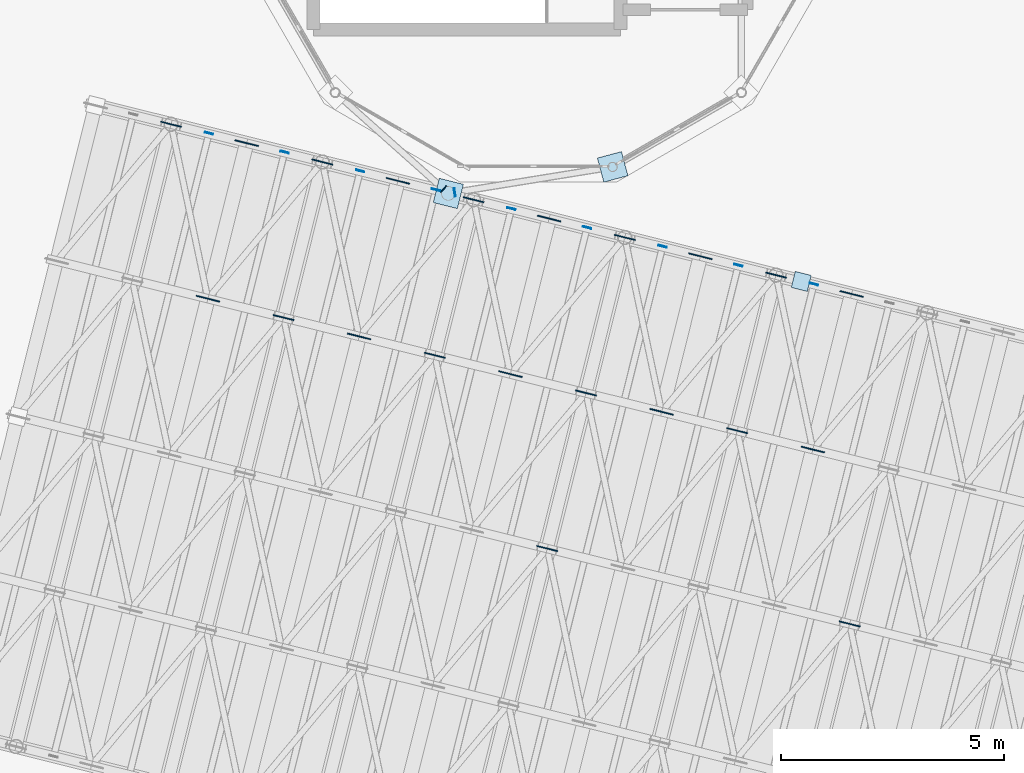
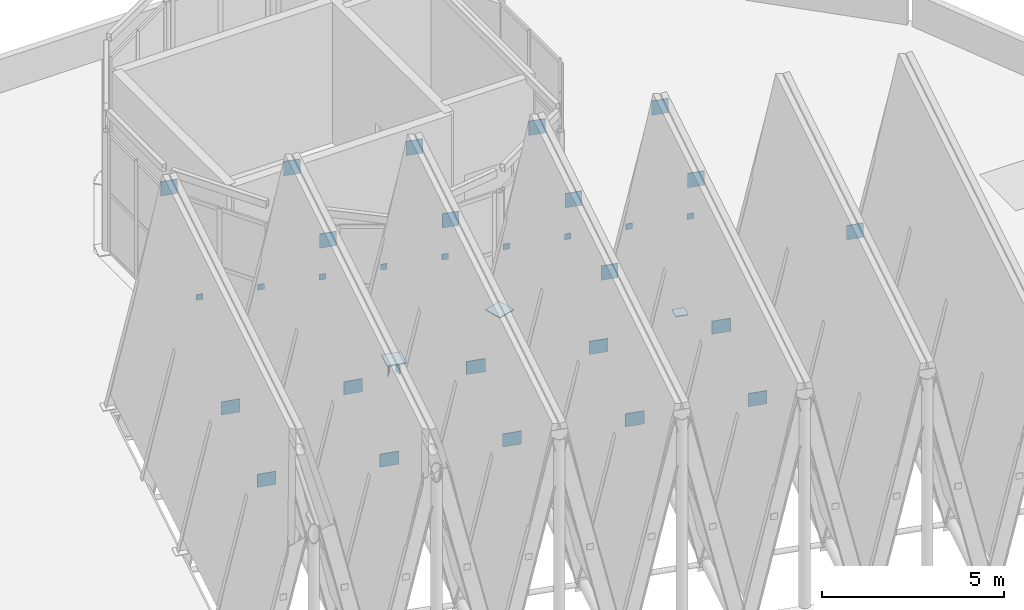
# One storey, part 29 of 51: 35 plates.
"""IFC4 building model written with IfcOpenShell, lengths in metres."""

from ifc_helpers import new_model, si_unit, direction, frame, origin, origin_2d, place, context, subcontext, project, spatial, rectangle, extrude, material, layer, layer_set, type_object, element, save


model = new_model("IFC4")

# Units and contexts
model_context = context("Model", 3, precision=1e-05, world=origin(), true_north=direction((0.0, 1.0)))
body_context = subcontext(model_context, "Body", "Model", "MODEL_VIEW")
ifc_project = project(units=[si_unit("LENGTHUNIT", "METRE"), si_unit("AREAUNIT", "SQUARE_METRE"), si_unit("VOLUMEUNIT", "CUBIC_METRE"), si_unit("PLANEANGLEUNIT", "RADIAN"), si_unit("MASSUNIT", "GRAM", prefix="KILO")], contexts=[model_context])

# Site, building, storey
site_placement = place(None, origin())
site = spatial("IfcSite", under=ifc_project, at=site_placement, CompositionType="ELEMENT")
building_placement = place(site_placement, origin())
building = spatial("IfcBuilding", under=site, at=building_placement, Name="Wrenclough Park School", CompositionType="ELEMENT")
storey_placement = place(building_placement, frame((0.0, 0.0, 16.800048828125)))
storey = spatial("IfcBuildingStorey", under=building, at=storey_placement, Name="L04", CompositionType="ELEMENT", Elevation=16.800048828125)

# Plates
ifc_material = material(Name="Structural steel S355", Category="steel")
ifc_layer_1 = layer(ifc_material, 0.18994140625)
ifc_layer_set_1 = layer_set([ifc_layer_1], Name="Structural steel S355")
plate_type_1 = type_object("IfcPlateType", Name="STR-PL-EP150", PredefinedType="SHEET", material=ifc_layer_set_1)
for number, where, z_axis, x_axis, name in (
    (1, (148.805419921875, 33.725341796875, 3.066162109375), (0.0, 0.0, 1.0), (0.2419218956, 0.970295726276, 0.0), "D1 purlin 1R N welded sealing end-cap plate"),
    (2, (150.50341796875, 33.302001953125, 3.066162109375), (0.0, 0.0, 1.0), (0.2419218956, 0.970295726276, 0.0), "D1 purlin 2L N welded sealing end-cap plate"),
    (3, (152.201416015625, 32.878662109375, 3.066162109375), (0.0, 0.0, 1.0), (0.2419218956, 0.970295726276, 0.0), "D1 purlin 2R N welded sealing end-cap plate"),
    (4, (153.8994140625, 32.455078125, 3.066162109375), (0.0, 0.0, 1.0), (0.2419218956, 0.970295726276, 0.0), "D1 purlin 3L N welded sealing end-cap plate"),
    (5, (155.597412109375, 32.031982421875, 3.066162109375), (0.0, 0.0, 1.0), (0.2419218956, 0.970295726276, 0.0), "D1 purlin 3R N welded sealing end-cap plate"),
    (6, (157.29541015625, 31.6083984375, 3.066162109375), (0.0, 0.0, 1.0), (0.2419218956, 0.970295726276, 0.0), "D1 purlin 4L N welded sealing end-cap plate"),
    (7, (158.993408203125, 31.18505859375, 3.066162109375), (0.0, 0.0, 1.0), (0.2419218956, 0.970295726276, 0.0), "D1 purlin 4R N welded sealing end-cap plate"),
    (8, (160.691650390625, 30.76171875, 3.066162109375), (0.0, 0.0, 1.0), (0.2419218956, 0.970295726276, 0.0), "D1 purlin 5L N welded sealing end-cap plate"),
    (9, (162.3896484375, 30.33837890625, 3.066162109375), (0.0, 0.0, 1.0), (0.2419218956, 0.970295726276, 0.0), "D1 purlin 5R N welded sealing end-cap plate"),
):
    element("IfcPlate", number, at=place(storey_placement, frame(where, z_axis=z_axis, x_axis=x_axis)), inside=storey, type_object=plate_type_1, Name=name, PredefinedType="SHEET", context=body_context, shape_type="SweptSolid", body=[
        extrude(rectangle(XDim=0.02197265625, YDim=0.18994140625, at=origin_2d()), origin(), (0.0, 0.0, 1.0), 0.18994140625),
    ])
ifc_layer_2 = layer(ifc_material, 0.2900390625)
ifc_layer_set_2 = layer_set([ifc_layer_2], Name="Structural steel S355")
plate_type_2 = type_object("IfcPlateType", Name="STR-PL-EP250", PredefinedType="SHEET", material=ifc_layer_set_2)
for number, where, z_axis, x_axis, name in (
    (10, (154.0712890625, 32.470703125, -0.510009765625), (0.0, 0.0, 1.0), (0.746405927603, -0.665490940013, 0.0), "D1-SH L04 ring beam 7 end sealing end-cap plate"),
    (11, (154.323486328125, 32.397216796875, -0.510009765625), (0.0, 0.0, 1.0), (0.987219843349, 0.15936430246, 0.0), "D1-SH L04 ring beam 8 start sealing end-cap plate"),
):
    element("IfcPlate", number, at=place(storey_placement, frame(where, z_axis=z_axis, x_axis=x_axis)), inside=storey, type_object=plate_type_2, Name=name, PredefinedType="SHEET", context=body_context, shape_type="SweptSolid", body=[
        extrude(rectangle(XDim=0.02197265625, YDim=0.18994140625, at=origin_2d()), origin(), (0.0, 0.0, 1.0), 0.2900390625),
    ])
ifc_layer_3 = layer(ifc_material, 0.02197265625)
ifc_layer_set_3 = layer_set([ifc_layer_3], Name="Structural steel S355")
plate_type_3 = type_object("IfcPlateType", Name="STR-PL-EP324", PredefinedType="SHEET", material=ifc_layer_set_3)
plate_placement = place(storey_placement, frame((162.10400390625, 30.398193359375, 0.0), z_axis=(0.0, 0.0, 1.0), x_axis=(0.970295726276, -0.2419218956, 0.0)))
element("IfcPlate", 12, at=plate_placement, inside=storey, type_object=plate_type_3, Name="Hollow steel column top sealing cap plate D1HR-2-2", PredefinedType="SHEET", context=body_context, shape_type="SweptSolid", body=[
    extrude(rectangle(XDim=0.3701171875, YDim=0.3701171875, at=origin_2d()), origin(), (0.0, 0.0, 1.0), 0.02197265625),
])
ifc_layer_4 = layer(ifc_material, 0.02490234375)
ifc_layer_set_4 = layer_set([ifc_layer_4], Name="Structural steel S355")
plate_type_4 = type_object("IfcPlateType", Name="STR-PL-KN1", PredefinedType="USERDEFINED", material=ifc_layer_set_4)
for number, where, z_axis, x_axis, name in (
    (13, (147.95361328125, 33.92626953125, 6.762451171875), (0.0, 0.0, 1.0), (0.970295726276, -0.2419218956, 0.0), "D1 ridge apex gusset plate 1.5"),
    (14, (150.478759765625, 29.58642578125, 6.762451171875), (0.0, 0.0, 1.0), (0.970295726276, -0.2419218956, 0.0), "D1 ridge apex gusset plate 2.4"),
    (15, (151.349853515625, 33.07958984375, 6.762451171875), (0.0, 0.0, 1.0), (0.970295726276, -0.2419218956, 0.0), "D1 ridge apex gusset plate 2.5"),
    (16, (153.875, 28.73974609375, 6.762451171875), (0.0, 0.0, 1.0), (0.970295726276, -0.2419218956, 0.0), "D1 ridge apex gusset plate 3.4"),
    (17, (154.745849609375, 32.23291015625, 6.762451171875), (0.0, 0.0, 1.0), (0.970295726276, -0.2419218956, 0.0), "D1 ridge apex gusset plate 3.5"),
    (18, (156.39990234375, 24.39990234375, 6.762451171875), (0.0, 0.0, 1.0), (0.970295726276, -0.2419218956, 0.0), "D1 ridge apex gusset plate 4.3"),
    (19, (157.27099609375, 27.89306640625, 6.762451171875), (0.0, 0.0, 1.0), (0.970295726276, -0.2419218956, 0.0), "D1 ridge apex gusset plate 4.4"),
    (20, (158.141845703125, 31.385986328125, 6.762451171875), (0.0, 0.0, 1.0), (0.970295726276, -0.2419218956, 0.0), "D1 ridge apex gusset plate 4.5"),
    (21, (160.6669921875, 27.04638671875, 6.762451171875), (0.0, 0.0, 1.0), (0.970295726276, -0.2419218956, 0.0), "D1 ridge apex gusset plate 5.4"),
    (22, (161.537841796875, 30.539306640625, 6.762451171875), (0.0, 0.0, 1.0), (0.970295726276, -0.2419218956, 0.0), "D1 ridge apex gusset plate 5.5"),
    (23, (163.192138671875, 22.70654296875, 6.762451171875), (0.0, 0.0, 1.0), (0.970295726276, -0.2419218956, 0.0), "D1 ridge apex gusset plate 6.3"),
):
    element("IfcPlate", number, at=place(storey_placement, frame(where, z_axis=z_axis, x_axis=x_axis)), inside=storey, type_object=plate_type_4, Name=name, ObjectType="GUSSET PLATE", PredefinedType="USERDEFINED", context=body_context, shape_type="SweptSolid", body=[
        extrude(rectangle(XDim=0.47998046875, YDim=0.02490234375, at=origin_2d()), origin(), (0.0, 0.0, 1.0), 0.47998046875),
    ])
ifc_layer_5 = layer(ifc_material, 0.02490234375)
ifc_layer_set_5 = layer_set([ifc_layer_5], Name="Structural steel S355")
plate_type_5 = type_object("IfcPlateType", Name="STR-PL-KN2", PredefinedType="USERDEFINED", material=ifc_layer_set_5)
for number, where, z_axis, x_axis, name in (
    (24, (148.78076171875, 30.010009765625, -0.900146484375), (0.0, 0.0, 1.0), (0.970295726276, -0.2419218956, 0.0), "D1 valley node gusset plate 2.4"),
    (25, (149.65185546875, 33.5029296875, -0.900146484375), (0.0, 0.0, 1.0), (0.970295726276, -0.2419218956, 0.0), "D1 valley node gusset plate 2.5"),
    (26, (152.177001953125, 29.1630859375, -0.900146484375), (0.0, 0.0, 1.0), (0.970295726276, -0.2419218956, 0.0), "D1 valley node gusset plate 3.4"),
    (27, (153.0478515625, 32.65625, -0.900146484375), (0.0, 0.0, 1.0), (0.970295726276, -0.2419218956, 0.0), "D1 valley node gusset plate 3.5"),
    (28, (155.572998046875, 28.31640625, -0.900146484375), (0.0, 0.0, 1.0), (0.970295726276, -0.2419218956, 0.0), "D1 valley node gusset plate 4.4"),
    (29, (156.44384765625, 31.8095703125, -0.900146484375), (0.0, 0.0, 1.0), (0.970295726276, -0.2419218956, 0.0), "D1 valley node gusset plate 4.5"),
    (30, (158.968994140625, 27.4697265625, -0.900146484375), (0.0, 0.0, 1.0), (0.970295726276, -0.2419218956, 0.0), "D1 valley node gusset plate 5.4"),
    (31, (159.83984375, 30.962890625, -0.900146484375), (0.0, 0.0, 1.0), (0.970295726276, -0.2419218956, 0.0), "D1 valley node gusset plate 5.5"),
    (32, (162.364990234375, 26.623046875, -0.900146484375), (0.0, 0.0, 1.0), (0.970295726276, -0.2419218956, 0.0), "D1 valley node gusset plate 6.4"),
    (33, (163.23583984375, 30.115966796875, -0.900146484375), (0.0, 0.0, 1.0), (0.970295726276, -0.2419218956, 0.0), "D1 valley node gusset plate 6.5"),
):
    element("IfcPlate", number, at=place(storey_placement, frame(where, z_axis=z_axis, x_axis=x_axis)), inside=storey, type_object=plate_type_5, Name=name, ObjectType="GUSSET PLATE", PredefinedType="USERDEFINED", context=body_context, shape_type="SweptSolid", body=[
        extrude(rectangle(XDim=0.5400390625, YDim=0.02490234375, at=origin_2d()), origin(), (0.0, 0.0, 1.0), 0.43994140625),
    ])
ifc_layer_6 = layer(ifc_material, 0.030029296875)
ifc_layer_set_6 = layer_set([ifc_layer_6], Name="Structural steel S355")
plate_type_6 = type_object("IfcPlateType", Name="STR-PL-KN4", PredefinedType="USERDEFINED", material=ifc_layer_set_6)
for number, where, z_axis, x_axis, name in (
    (34, (154.1796875, 32.3740234375, 0.0), (0.0, 0.0, 1.0), (0.970295726276, -0.2419218956, 0.0), "D1-SH cylindrical column baseplate 9"),
    (35, (157.869384765625, 32.9697265625, 0.0), (0.0, 0.0, 1.0), (0.965925826289, 0.258819045103, 0.0), "D1-SH cylindrical column baseplate 10"),
):
    element("IfcPlate", number, at=place(storey_placement, frame(where, z_axis=z_axis, x_axis=x_axis)), inside=storey, type_object=plate_type_6, Name=name, ObjectType="GUSSET PLATE", PredefinedType="USERDEFINED", context=body_context, shape_type="SweptSolid", body=[
        extrude(rectangle(XDim=0.56005859375, YDim=0.56005859375, at=origin_2d()), origin(), (0.0, 0.0, 1.0), 0.030029296875),
    ])

save(model, "model.ifc")
